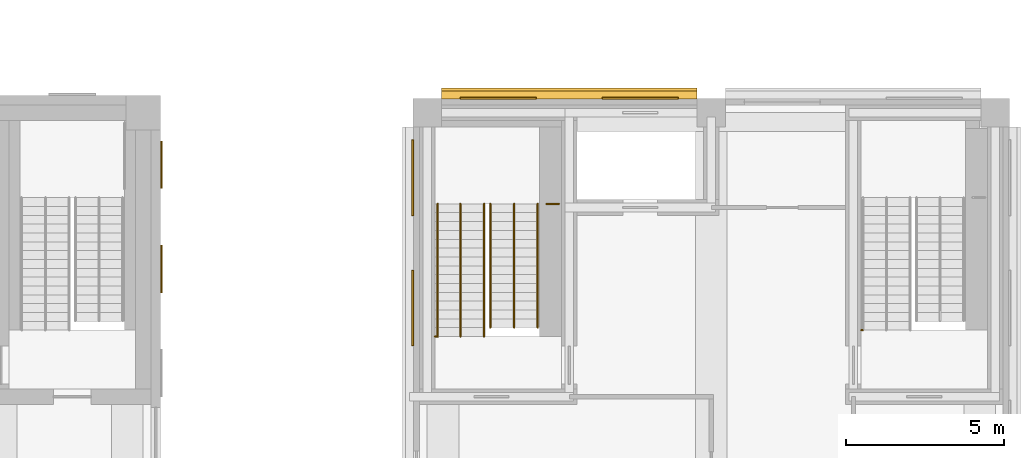
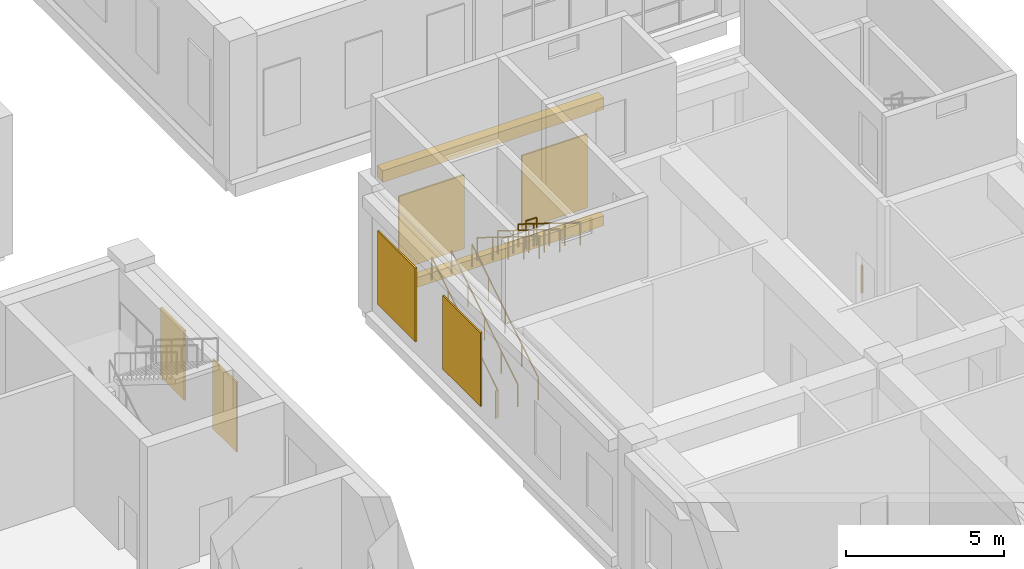
# One storey, part 48 of 52: 9 railings, 8 coverings.
"""IFC4 building model written with IfcOpenShell, lengths in metres."""

from ifc_helpers import new_model, si_unit, direction, frame, origin, origin_2d, place, context, subcontext, project, spatial, rectangle, circle, extrude, material, layer, layer_set, type_object, element, save


model = new_model("IFC4")

# Units and contexts
model_context = context("Model", 3, precision=1e-05, world=origin(), true_north=direction((0.0, 1.0)))
body_context = subcontext(model_context, "Body", "Model", "MODEL_VIEW")
ifc_project = project(units=[si_unit("LENGTHUNIT", "METRE"), si_unit("AREAUNIT", "SQUARE_METRE"), si_unit("VOLUMEUNIT", "CUBIC_METRE"), si_unit("PLANEANGLEUNIT", "RADIAN"), si_unit("MASSUNIT", "GRAM", prefix="KILO")], contexts=[model_context])

# Site, building, storey
site_placement = place(None, origin())
site = spatial("IfcSite", under=ifc_project, at=site_placement, CompositionType="ELEMENT")
building_placement = place(site_placement, origin())
building = spatial("IfcBuilding", under=site, at=building_placement, Name="Aurelan Courthouse", CompositionType="ELEMENT")
storey_placement = place(building_placement, frame((0.0, 0.0, 6.60009765625)))
storey = spatial("IfcBuildingStorey", under=building, at=storey_placement, Name="L01", CompositionType="ELEMENT", Elevation=6.60009765625)

# Coverings
ifc_material_1 = material(Name="Bronze sheet cladding")
ifc_layer_1 = layer(ifc_material_1, 0.06005859375)
ifc_layer_set_1 = layer_set([ifc_layer_1], Name="Bronze sheet cladding")
covering_type_1 = type_object("IfcCoveringType", Name="Ceremonial Court blind bay 1500 x 2700", PredefinedType="CLADDING", material=ifc_layer_set_1)
for number, where, z_axis, x_axis, name in (
    (1, (63.580078125, 23.550048828125, 0.89990234375), (0.0, 0.0, 1.0), (1.0, 0.0, 0.0), "Blind bay BB-V1-L01-005"),
    (2, (63.580078125, 26.85009765625, 0.89990234375), (0.0, 0.0, 1.0), (1.0, 0.0, 0.0), "Blind bay BB-V1-L01-006"),
):
    element("IfcCovering", number, at=place(storey_placement, frame(where, z_axis=z_axis, x_axis=x_axis)), inside=storey, type_object=covering_type_1, Name=name, PredefinedType="CLADDING", context=body_context, shape_type="SweptSolid", body=[
        extrude(rectangle(XDim=0.06005859375, YDim=1.5, at=origin_2d()), origin(), (0.0, 0.0, 1.0), 2.699951171875),
    ])
ifc_layer_2 = layer(ifc_material_1, 0.06005859375)
ifc_layer_set_2 = layer_set([ifc_layer_2], Name="Bronze sheet cladding")
covering_type_2 = type_object("IfcCoveringType", Name="Public Hall and Registry blind bay 2400 x 2850", PredefinedType="CLADDING", material=ifc_layer_set_2)
for number, where, z_axis, x_axis, name in (
    (3, (74.25, 28.9599609375, 0.89990234375), (0.0, 0.0, 1.0), (1.0, 0.0, 0.0), "Blind bay BB-V4-L01-001"),
    (4, (78.75, 28.9599609375, 0.89990234375), (0.0, 0.0, 1.0), (1.0, 0.0, 0.0), "Blind bay BB-V4-L01-002"),
):
    element("IfcCovering", number, at=place(storey_placement, frame(where, z_axis=z_axis, x_axis=x_axis)), inside=storey, type_object=covering_type_2, Name=name, PredefinedType="CLADDING", context=body_context, shape_type="SweptSolid", body=[
        extrude(rectangle(XDim=2.39990234375, YDim=0.06005859375, at=origin_2d()), origin(), (0.0, 0.0, 1.0), 2.85009765625),
    ])
for number, where, z_axis, x_axis, name in (
    (5, (71.5400390625, 22.3125, 0.89990234375), (0.0, 0.0, 1.0), (1.0, 0.0, 0.0), "Blind bay BB-V4-L01-008"),
    (6, (71.5400390625, 26.4375, 0.89990234375), (0.0, 0.0, 1.0), (1.0, 0.0, 0.0), "Blind bay BB-V4-L01-009"),
):
    element("IfcCovering", number, at=place(storey_placement, frame(where, z_axis=z_axis, x_axis=x_axis)), inside=storey, type_object=covering_type_2, Name=name, PredefinedType="CLADDING", context=body_context, shape_type="SweptSolid", body=[
        extrude(rectangle(XDim=0.06005859375, YDim=2.39990234375, at=origin_2d()), origin(), (0.0, 0.0, 1.0), 2.85009765625),
    ])
ifc_material_2 = material(Name="Limestone cladding", Category="masonry")
covering_type_3 = type_object("IfcCoveringType", Name="Public Hall and Registry cornice 450 x 360", PredefinedType="CLADDING", material=ifc_material_2)
covering_1_placement = place(storey_placement, frame((76.5, 29.110107421875, 4.501953125), z_axis=(0.0, 0.0, 1.0), x_axis=(1.0, 0.0, 0.0)))
element("IfcCovering", 7, at=covering_1_placement, inside=storey, type_object=covering_type_3, Name="Cornice CRN-V4-007", PredefinedType="CLADDING", context=body_context, shape_type="SweptSolid", body=[
    extrude(rectangle(XDim=8.10009765625, YDim=0.360107421875, at=origin_2d()), origin(), (0.0, 0.0, 1.0), 0.449951171875),
])
covering_type_4 = type_object("IfcCoveringType", Name="Public Hall and Registry string course 380 x 260", PredefinedType="CLADDING", material=ifc_material_2)
covering_2_placement = place(storey_placement, frame((76.5, 29.06005859375, 0.0), z_axis=(0.0, 0.0, 1.0), x_axis=(1.0, 0.0, 0.0)))
element("IfcCovering", 8, at=covering_2_placement, inside=storey, type_object=covering_type_4, Name="String course SC-V4-007", PredefinedType="CLADDING", context=body_context, shape_type="SweptSolid", body=[
    extrude(rectangle(XDim=8.10009765625, YDim=0.260009765625, at=origin_2d()), origin(), (0.0, 0.0, 1.0), 0.3798828125),
])

# Railings
ifc_material_3 = material(Name="Steel S355", Category="steel")
railing_type_1 = type_object("IfcRailingType", Name="Stair guard 1100", PredefinedType="GUARDRAIL", material=ifc_material_3)
railing_1_placement = place(storey_placement, frame((72.330078125, 21.409912109375, 0.0)))
element("IfcRailing", 9, at=railing_1_placement, inside=storey, type_object=railing_type_1, Name="Guard ST-4A-L01-H1-C", PredefinedType="GUARDRAIL", context=body_context, shape_type="SweptSolid", body=[
    extrude(circle(Radius=0.02392578125, at=origin_2d()), frame((0.0, 0.0, 1.076171875), z_axis=(-1.0, 0.0, 0.0), x_axis=(0.0, -1.0, 0.0)), (0.0, 0.0, 1.0), 0.080078125),
    extrude(circle(Radius=0.02099609375, at=origin_2d()), origin(), (0.0, 0.0, 1.0), 1.052001953125),
    extrude(circle(Radius=0.02099609375, at=origin_2d()), frame((-0.080078125, 0.0, 0.0)), (0.0, 0.0, 1.0), 1.052001953125),
])
railing_2_placement = place(storey_placement, frame((76.169921875, 25.610107421875, 2.787109375)))
element("IfcRailing", 10, at=railing_2_placement, inside=storey, type_object=railing_type_1, Name="Guard ST-4A-L01-GL1", PredefinedType="GUARDRAIL", context=body_context, shape_type="SweptSolid", body=[
    extrude(circle(Radius=0.02392578125, at=origin_2d()), frame((0.0, 0.0, 1.076171875), z_axis=(-1.0, 0.0, 0.0), x_axis=(0.0, -1.0, 0.0)), (0.0, 0.0, 1.0), 0.389892578125),
    extrude(circle(Radius=0.02099609375, at=origin_2d()), origin(), (0.0, 0.0, 1.0), 1.052001953125),
    extrude(circle(Radius=0.02099609375, at=origin_2d()), frame((-0.389892578125, 0.0, 0.0)), (0.0, 0.0, 1.0), 1.052001953125),
])
railing_3_placement = place(storey_placement, frame((85.800048828125, 21.610107421875, 0.0)))
element("IfcRailing", 11, at=railing_3_placement, inside=storey, type_object=railing_type_1, Name="Guard ST-4B-L01-H1-C", PredefinedType="GUARDRAIL", context=body_context, shape_type="SweptSolid", body=[
    extrude(circle(Radius=0.02392578125, at=origin_2d()), frame((0.0, 0.0, 1.076171875), z_axis=(-1.0, 0.0, 0.0), x_axis=(0.0, -1.0, 0.0)), (0.0, 0.0, 1.0), 0.050048828125),
    extrude(circle(Radius=0.02099609375, at=origin_2d()), origin(), (0.0, 0.0, 1.0), 1.052001953125),
    extrude(circle(Radius=0.02099609375, at=origin_2d()), frame((-0.050048828125, 0.0, 0.0)), (0.0, 0.0, 1.0), 1.052001953125),
])
railing_type_2 = type_object("IfcRailingType", Name="Stair handrail 900", PredefinedType="HANDRAIL", material=ifc_material_3)
for number, where, name in (
    (12, (72.330078125, 21.409912109375, 0.174072265625), "Handrail ST-4A-L01-H1"),
    (13, (73.800048828125, 21.409912109375, 0.174072265625), "Handrail ST-4A-L01-H2"),
    (14, (73.050048828125, 21.409912109375, 0.174072265625), "Handrail ST-4A-L01-H3"),
):
    element("IfcRailing", number, at=place(storey_placement, frame(where)), inside=storey, type_object=railing_type_2, Name=name, PredefinedType="HANDRAIL", context=body_context, shape_type="SweptSolid", body=[
        extrude(circle(Radius=0.02392578125, at=origin_2d()), frame((0.0, 0.0, 0.8759765625), z_axis=(0.0, 0.84909448278, 0.528241004952), x_axis=(-1.0, 0.0, 0.0)), (0.0, 0.0, 1.0), 4.94677734375),
        extrude(circle(Radius=0.02099609375, at=origin_2d()), origin(), (0.0, 0.0, 1.0), 0.851806640625),
        extrude(circle(Radius=0.02099609375, at=origin_2d()), frame((0.0, 1.050048828125, 0.6533203125)), (0.0, 0.0, 1.0), 0.851806640625),
        extrude(circle(Radius=0.02099609375, at=origin_2d()), frame((0.0, 2.10009765625, 1.306640625)), (0.0, 0.0, 1.0), 0.851806640625),
        extrude(circle(Radius=0.02099609375, at=origin_2d()), frame((0.0, 3.150146484375, 1.959716796875)), (0.0, 0.0, 1.0), 0.851806640625),
        extrude(circle(Radius=0.02099609375, at=origin_2d()), frame((0.0, 4.2001953125, 2.613037109375)), (0.0, 0.0, 1.0), 0.851806640625),
    ])
for number, where, name in (
    (15, (74.0, 25.610107421875, 2.961181640625), "Handrail ST-4A-L01-H4"),
    (16, (75.5, 25.610107421875, 2.961181640625), "Handrail ST-4A-L01-H5"),
    (17, (74.75, 25.610107421875, 2.961181640625), "Handrail ST-4A-L01-H6"),
):
    element("IfcRailing", number, at=place(storey_placement, frame(where)), inside=storey, type_object=railing_type_2, Name=name, PredefinedType="HANDRAIL", context=body_context, shape_type="SweptSolid", body=[
        extrude(circle(Radius=0.02392578125, at=origin_2d()), frame((0.0, 0.0, 0.8759765625), z_axis=(0.0, -0.849104567483, 0.528224794457), x_axis=(1.0, 0.0, 0.0)), (0.0, 0.0, 1.0), 4.616943359375),
        extrude(circle(Radius=0.02099609375, at=origin_2d()), origin(), (0.0, 0.0, 1.0), 0.851806640625),
        extrude(circle(Radius=0.02099609375, at=origin_2d()), frame((0.0, -0.97998046875, 0.609619140625)), (0.0, 0.0, 1.0), 0.851806640625),
        extrude(circle(Radius=0.02099609375, at=origin_2d()), frame((0.0, -1.9599609375, 1.21923828125)), (0.0, 0.0, 1.0), 0.851806640625),
        extrude(circle(Radius=0.02099609375, at=origin_2d()), frame((0.0, -2.940185546875, 1.8291015625)), (0.0, 0.0, 1.0), 0.851806640625),
        extrude(circle(Radius=0.02099609375, at=origin_2d()), frame((0.0, -3.920166015625, 2.438720703125)), (0.0, 0.0, 1.0), 0.851806640625),
    ])

save(model, "model.ifc")
